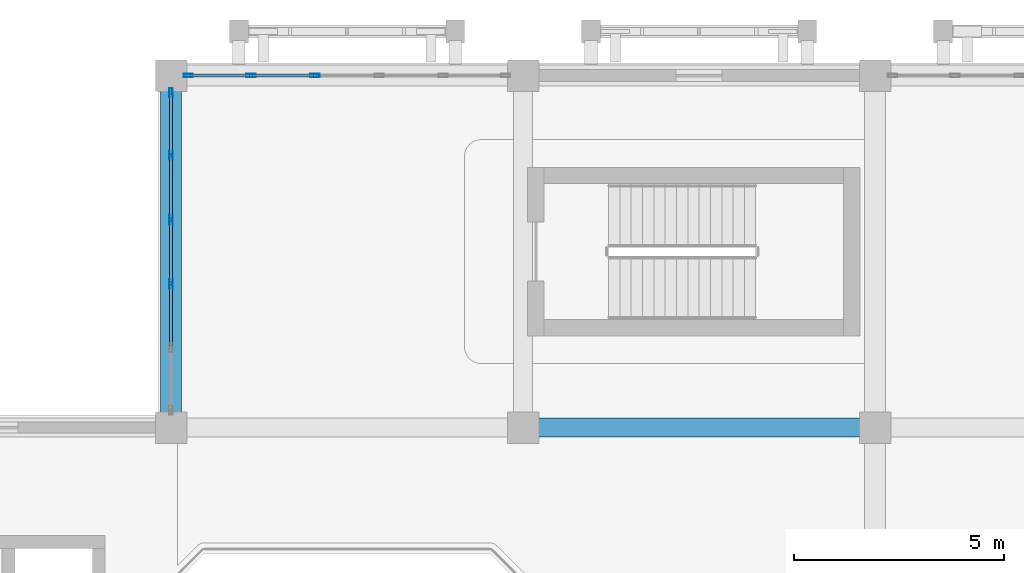
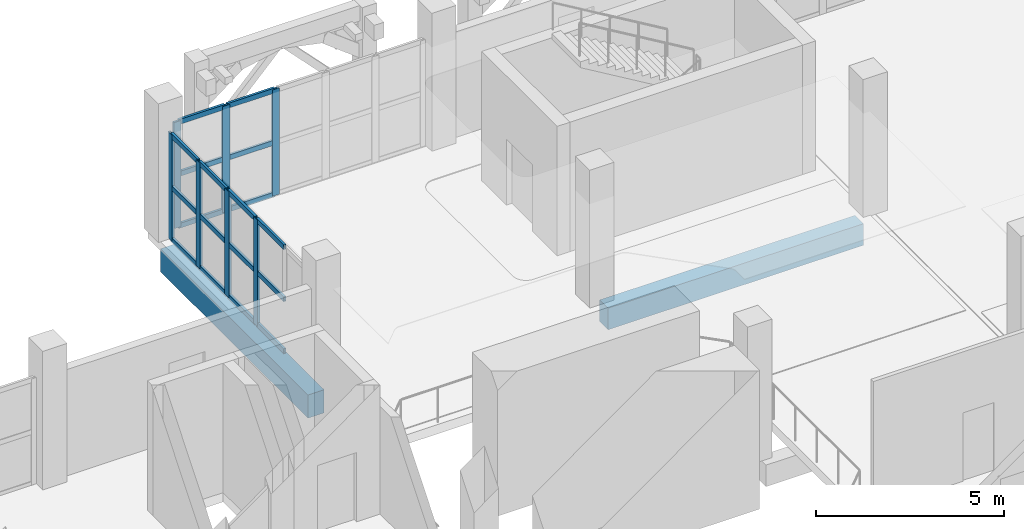
# One storey, part 54 of 114: 25 members, 2 beams, 2 elements without a shape of their own.
"""IFC4 building model written with IfcOpenShell, lengths in metres."""

from ifc_helpers import new_model, si_unit, direction, frame, origin, origin_2d, place, context, subcontext, project, spatial, rectangle, hollow_rectangle, extrude, material, layer, layer_set, material_profile, profile_set, type_object, element, aggregate, save


model = new_model("IFC4")

# Units and contexts
model_context = context("Model", 3, precision=1e-05, world=origin(), true_north=direction((0.0, 1.0)))
body_context = subcontext(model_context, "Body", "Model", "MODEL_VIEW")
ifc_project = project(units=[si_unit("LENGTHUNIT", "METRE"), si_unit("AREAUNIT", "SQUARE_METRE"), si_unit("VOLUMEUNIT", "CUBIC_METRE"), si_unit("PLANEANGLEUNIT", "RADIAN"), si_unit("MASSUNIT", "GRAM", prefix="KILO")], contexts=[model_context])

# Site, building, storey
site_placement = place(None, origin())
site = spatial("IfcSite", under=ifc_project, at=site_placement, CompositionType="ELEMENT")
building_placement = place(site_placement, origin())
building = spatial("IfcBuilding", under=site, at=building_placement, Name="Xazarin Passage Department Store", CompositionType="ELEMENT")
storey_placement = place(building_placement, frame((0.0, 0.0, 14.39990234375)))
storey = spatial("IfcBuildingStorey", under=building, at=storey_placement, Name="L03", CompositionType="ELEMENT", Elevation=14.39990234375)

# Curtain wall, members
ifc_material_1 = material(Name="Bronze anodised aluminium", Category="aluminium")
ifc_layer = layer(ifc_material_1, 0.199951171875)
ifc_layer_set = layer_set([ifc_layer], Name="Bronze anodised aluminium")
curtain_wall_type = type_object("IfcCurtainWallType", Name="ARC-CW-VIT2", PredefinedType="NOTDEFINED", material=ifc_layer_set)
curtain_wall_1_placement = place(storey_placement, origin())
curtain_wall_1 = element("IfcCurtainWall", 1, at=curtain_wall_1_placement, inside=storey, type_object=curtain_wall_type, Name="L03 V1 Curtain Wall 061", PredefinedType="NOTDEFINED")
ifc_material_profile_1 = material_profile(ifc_material_1, hollow_rectangle(XDim=0.074951171875, YDim=0.219970703125, WallThickness=0.0048828125, at=origin_2d()), Name="ALU 75x220")
ifc_profile_set_1 = profile_set([ifc_material_profile_1], Name="Bronze anodised aluminium")
member_type_1 = type_object("IfcMemberType", Name="ARC-CWM-75x220", PredefinedType="MULLION", material=ifc_profile_set_1)
member_1_placement = place(storey_placement, frame((17.21240234375, 110.0, 0.0), z_axis=(0.0, 0.0, 1.0), x_axis=(0.0, 1.0, 0.0)))
member_1 = element("IfcMember", 2, at=member_1_placement, type_object=member_type_1, Name="CW2 mullion 1", PredefinedType="MULLION", context=body_context, shape_type="SweptSolid", body=[
    extrude(hollow_rectangle(XDim=0.074951171875, YDim=0.219970703125, WallThickness=0.0048828125, at=origin_2d()), origin(), (0.0, 0.0, 1.0), 3.4501953125),
])
member_2_placement = place(storey_placement, frame((18.705078125, 110.0, 0.0), z_axis=(0.0, 0.0, 1.0), x_axis=(0.0, 1.0, 0.0)))
member_2 = element("IfcMember", 3, at=member_2_placement, type_object=member_type_1, Name="CW2 mullion 2", PredefinedType="MULLION", context=body_context, shape_type="SweptSolid", body=[
    extrude(hollow_rectangle(XDim=0.074951171875, YDim=0.219970703125, WallThickness=0.0048828125, at=origin_2d()), origin(), (0.0, 0.0, 1.0), 3.4501953125),
])
member_3_placement = place(storey_placement, frame((20.235107421875, 110.0, 0.0), z_axis=(0.0, 0.0, 1.0), x_axis=(0.0, 1.0, 0.0)))
member_3 = element("IfcMember", 4, at=member_3_placement, type_object=member_type_1, Name="CW2 mullion 3", PredefinedType="MULLION", context=body_context, shape_type="SweptSolid", body=[
    extrude(hollow_rectangle(XDim=0.074951171875, YDim=0.219970703125, WallThickness=0.0048828125, at=origin_2d()), origin(), (0.0, 0.0, 1.0), 3.4501953125),
])

curtain_wall_2_placement = place(storey_placement, origin())
curtain_wall_2 = element("IfcCurtainWall", 5, at=curtain_wall_2_placement, inside=storey, type_object=curtain_wall_type, Name="L03 V1 Curtain Wall 065", PredefinedType="NOTDEFINED")
member_4_placement = place(storey_placement, frame((16.800048828125, 105.034912109375, 0.0), z_axis=(0.0, 0.0, 1.0), x_axis=(-1.0, 0.0, 0.0)))
member_4 = element("IfcMember", 6, at=member_4_placement, type_object=member_type_1, Name="CW2 mullion 3", PredefinedType="MULLION", context=body_context, shape_type="SweptSolid", body=[
    extrude(hollow_rectangle(XDim=0.074951171875, YDim=0.219970703125, WallThickness=0.0048828125, at=origin_2d()), origin(), (0.0, 0.0, 1.0), 3.4501953125),
])
member_5_placement = place(storey_placement, frame((16.800048828125, 106.56494140625, 0.0), z_axis=(0.0, 0.0, 1.0), x_axis=(-1.0, 0.0, 0.0)))
member_5 = element("IfcMember", 7, at=member_5_placement, type_object=member_type_1, Name="CW2 mullion 4", PredefinedType="MULLION", context=body_context, shape_type="SweptSolid", body=[
    extrude(hollow_rectangle(XDim=0.074951171875, YDim=0.219970703125, WallThickness=0.0048828125, at=origin_2d()), origin(), (0.0, 0.0, 1.0), 3.4501953125),
])
member_6_placement = place(storey_placement, frame((16.800048828125, 108.094970703125, 0.0), z_axis=(0.0, 0.0, 1.0), x_axis=(-1.0, 0.0, 0.0)))
member_6 = element("IfcMember", 8, at=member_6_placement, type_object=member_type_1, Name="CW2 mullion 5", PredefinedType="MULLION", context=body_context, shape_type="SweptSolid", body=[
    extrude(hollow_rectangle(XDim=0.074951171875, YDim=0.219970703125, WallThickness=0.0048828125, at=origin_2d()), origin(), (0.0, 0.0, 1.0), 3.4501953125),
])
member_7_placement = place(storey_placement, frame((16.800048828125, 109.58740234375, 0.0), z_axis=(0.0, 0.0, 1.0), x_axis=(-1.0, 0.0, 0.0)))
member_7 = element("IfcMember", 9, at=member_7_placement, type_object=member_type_1, Name="CW2 mullion 6", PredefinedType="MULLION", context=body_context, shape_type="SweptSolid", body=[
    extrude(hollow_rectangle(XDim=0.074951171875, YDim=0.219970703125, WallThickness=0.0048828125, at=origin_2d()), origin(), (0.0, 0.0, 1.0), 3.4501953125),
])

# Member
ifc_material_profile_2 = material_profile(ifc_material_1, hollow_rectangle(XDim=0.074951171875, YDim=0.159912109375, WallThickness=0.00439453125, at=origin_2d()), Name="ALU 75x160")
ifc_profile_set_2 = profile_set([ifc_material_profile_2], Name="Bronze anodised aluminium")
member_type_2 = type_object("IfcMemberType", Name="ARC-CWT-75x160", PredefinedType="USERDEFINED", material=ifc_profile_set_2)
member_8_placement = place(storey_placement, frame((17.25, 110.0, 0.03759765625), z_axis=(1.0, 0.0, 0.0), x_axis=(0.0, 1.0, 0.0)))
member_8 = element("IfcMember", 10, at=member_8_placement, type_object=member_type_2, Name="CW2 transom 1.1", ObjectType="TRANSOM", PredefinedType="USERDEFINED", context=body_context, shape_type="SweptSolid", body=[
    extrude(hollow_rectangle(XDim=0.074951171875, YDim=0.159912109375, WallThickness=0.00439453125, at=origin_2d()), origin(), (0.0, 0.0, 1.0), 1.41748046875),
])

member_9_placement = place(storey_placement, frame((17.25, 110.0, 1.72509765625), z_axis=(1.0, 0.0, 0.0), x_axis=(0.0, 1.0, 0.0)))
member_9 = element("IfcMember", 11, at=member_9_placement, type_object=member_type_2, Name="CW2 transom 1.2", ObjectType="TRANSOM", PredefinedType="USERDEFINED", context=body_context, shape_type="SweptSolid", body=[
    extrude(hollow_rectangle(XDim=0.074951171875, YDim=0.159912109375, WallThickness=0.00439453125, at=origin_2d()), origin(), (0.0, 0.0, 1.0), 1.41748046875),
])

member_10_placement = place(storey_placement, frame((17.25, 110.0, 3.41259765625), z_axis=(1.0, 0.0, 0.0), x_axis=(0.0, 1.0, 0.0)))
member_10 = element("IfcMember", 12, at=member_10_placement, type_object=member_type_2, Name="CW2 transom 1.3", ObjectType="TRANSOM", PredefinedType="USERDEFINED", context=body_context, shape_type="SweptSolid", body=[
    extrude(hollow_rectangle(XDim=0.074951171875, YDim=0.159912109375, WallThickness=0.00439453125, at=origin_2d()), origin(), (0.0, 0.0, 1.0), 1.41748046875),
])

member_11_placement = place(storey_placement, frame((18.742431640625, 110.0, 0.03759765625), z_axis=(1.0, 0.0, 0.0), x_axis=(0.0, 1.0, 0.0)))
member_11 = element("IfcMember", 13, at=member_11_placement, type_object=member_type_2, Name="CW2 transom 2.1", ObjectType="TRANSOM", PredefinedType="USERDEFINED", context=body_context, shape_type="SweptSolid", body=[
    extrude(hollow_rectangle(XDim=0.074951171875, YDim=0.159912109375, WallThickness=0.00439453125, at=origin_2d()), origin(), (0.0, 0.0, 1.0), 1.455078125),
])

member_12_placement = place(storey_placement, frame((18.742431640625, 110.0, 1.72509765625), z_axis=(1.0, 0.0, 0.0), x_axis=(0.0, 1.0, 0.0)))
member_12 = element("IfcMember", 14, at=member_12_placement, type_object=member_type_2, Name="CW2 transom 2.2", ObjectType="TRANSOM", PredefinedType="USERDEFINED", context=body_context, shape_type="SweptSolid", body=[
    extrude(hollow_rectangle(XDim=0.074951171875, YDim=0.159912109375, WallThickness=0.00439453125, at=origin_2d()), origin(), (0.0, 0.0, 1.0), 1.455078125),
])

member_13_placement = place(storey_placement, frame((18.742431640625, 110.0, 3.41259765625), z_axis=(1.0, 0.0, 0.0), x_axis=(0.0, 1.0, 0.0)))
member_13 = element("IfcMember", 15, at=member_13_placement, type_object=member_type_2, Name="CW2 transom 2.3", ObjectType="TRANSOM", PredefinedType="USERDEFINED", context=body_context, shape_type="SweptSolid", body=[
    extrude(hollow_rectangle(XDim=0.074951171875, YDim=0.159912109375, WallThickness=0.00439453125, at=origin_2d()), origin(), (0.0, 0.0, 1.0), 1.455078125),
])

aggregate(curtain_wall_1, [member_1, member_2, member_3, member_8, member_9, member_10, member_11, member_12, member_13])

member_14_placement = place(storey_placement, frame((16.800048828125, 103.54248046875, 0.03759765625), z_axis=(0.0, 1.0, 0.0), x_axis=(-1.0, 0.0, 0.0)))
member_14 = element("IfcMember", 16, at=member_14_placement, type_object=member_type_2, Name="CW2 transom 2.1", ObjectType="TRANSOM", PredefinedType="USERDEFINED", context=body_context, shape_type="SweptSolid", body=[
    extrude(hollow_rectangle(XDim=0.074951171875, YDim=0.159912109375, WallThickness=0.00439453125, at=origin_2d()), origin(), (0.0, 0.0, 1.0), 1.455078125),
])

member_15_placement = place(storey_placement, frame((16.800048828125, 103.54248046875, 1.72509765625), z_axis=(0.0, 1.0, 0.0), x_axis=(-1.0, 0.0, 0.0)))
member_15 = element("IfcMember", 17, at=member_15_placement, type_object=member_type_2, Name="CW2 transom 2.2", ObjectType="TRANSOM", PredefinedType="USERDEFINED", context=body_context, shape_type="SweptSolid", body=[
    extrude(hollow_rectangle(XDim=0.074951171875, YDim=0.159912109375, WallThickness=0.00439453125, at=origin_2d()), origin(), (0.0, 0.0, 1.0), 1.455078125),
])

member_16_placement = place(storey_placement, frame((16.800048828125, 103.54248046875, 3.41259765625), z_axis=(0.0, 1.0, 0.0), x_axis=(-1.0, 0.0, 0.0)))
member_16 = element("IfcMember", 18, at=member_16_placement, type_object=member_type_2, Name="CW2 transom 2.3", ObjectType="TRANSOM", PredefinedType="USERDEFINED", context=body_context, shape_type="SweptSolid", body=[
    extrude(hollow_rectangle(XDim=0.074951171875, YDim=0.159912109375, WallThickness=0.00439453125, at=origin_2d()), origin(), (0.0, 0.0, 1.0), 1.455078125),
])

member_17_placement = place(storey_placement, frame((16.800048828125, 105.072509765625, 0.03759765625), z_axis=(0.0, 1.0, 0.0), x_axis=(-1.0, 0.0, 0.0)))
member_17 = element("IfcMember", 19, at=member_17_placement, type_object=member_type_2, Name="CW2 transom 3.1", ObjectType="TRANSOM", PredefinedType="USERDEFINED", context=body_context, shape_type="SweptSolid", body=[
    extrude(hollow_rectangle(XDim=0.074951171875, YDim=0.159912109375, WallThickness=0.00439453125, at=origin_2d()), origin(), (0.0, 0.0, 1.0), 1.455078125),
])

member_18_placement = place(storey_placement, frame((16.800048828125, 105.072509765625, 1.72509765625), z_axis=(0.0, 1.0, 0.0), x_axis=(-1.0, 0.0, 0.0)))
member_18 = element("IfcMember", 20, at=member_18_placement, type_object=member_type_2, Name="CW2 transom 3.2", ObjectType="TRANSOM", PredefinedType="USERDEFINED", context=body_context, shape_type="SweptSolid", body=[
    extrude(hollow_rectangle(XDim=0.074951171875, YDim=0.159912109375, WallThickness=0.00439453125, at=origin_2d()), origin(), (0.0, 0.0, 1.0), 1.455078125),
])

member_19_placement = place(storey_placement, frame((16.800048828125, 105.072509765625, 3.41259765625), z_axis=(0.0, 1.0, 0.0), x_axis=(-1.0, 0.0, 0.0)))
member_19 = element("IfcMember", 21, at=member_19_placement, type_object=member_type_2, Name="CW2 transom 3.3", ObjectType="TRANSOM", PredefinedType="USERDEFINED", context=body_context, shape_type="SweptSolid", body=[
    extrude(hollow_rectangle(XDim=0.074951171875, YDim=0.159912109375, WallThickness=0.00439453125, at=origin_2d()), origin(), (0.0, 0.0, 1.0), 1.455078125),
])

member_20_placement = place(storey_placement, frame((16.800048828125, 106.6025390625, 0.03759765625), z_axis=(0.0, 1.0, 0.0), x_axis=(-1.0, 0.0, 0.0)))
member_20 = element("IfcMember", 22, at=member_20_placement, type_object=member_type_2, Name="CW2 transom 4.1", ObjectType="TRANSOM", PredefinedType="USERDEFINED", context=body_context, shape_type="SweptSolid", body=[
    extrude(hollow_rectangle(XDim=0.074951171875, YDim=0.159912109375, WallThickness=0.00439453125, at=origin_2d()), origin(), (0.0, 0.0, 1.0), 1.455078125),
])

member_21_placement = place(storey_placement, frame((16.800048828125, 106.6025390625, 1.72509765625), z_axis=(0.0, 1.0, 0.0), x_axis=(-1.0, 0.0, 0.0)))
member_21 = element("IfcMember", 23, at=member_21_placement, type_object=member_type_2, Name="CW2 transom 4.2", ObjectType="TRANSOM", PredefinedType="USERDEFINED", context=body_context, shape_type="SweptSolid", body=[
    extrude(hollow_rectangle(XDim=0.074951171875, YDim=0.159912109375, WallThickness=0.00439453125, at=origin_2d()), origin(), (0.0, 0.0, 1.0), 1.455078125),
])

member_22_placement = place(storey_placement, frame((16.800048828125, 106.6025390625, 3.41259765625), z_axis=(0.0, 1.0, 0.0), x_axis=(-1.0, 0.0, 0.0)))
member_22 = element("IfcMember", 24, at=member_22_placement, type_object=member_type_2, Name="CW2 transom 4.3", ObjectType="TRANSOM", PredefinedType="USERDEFINED", context=body_context, shape_type="SweptSolid", body=[
    extrude(hollow_rectangle(XDim=0.074951171875, YDim=0.159912109375, WallThickness=0.00439453125, at=origin_2d()), origin(), (0.0, 0.0, 1.0), 1.455078125),
])

member_23_placement = place(storey_placement, frame((16.800048828125, 108.132568359375, 0.03759765625), z_axis=(0.0, 1.0, 0.0), x_axis=(-1.0, 0.0, 0.0)))
member_23 = element("IfcMember", 25, at=member_23_placement, type_object=member_type_2, Name="CW2 transom 5.1", ObjectType="TRANSOM", PredefinedType="USERDEFINED", context=body_context, shape_type="SweptSolid", body=[
    extrude(hollow_rectangle(XDim=0.074951171875, YDim=0.159912109375, WallThickness=0.00439453125, at=origin_2d()), origin(), (0.0, 0.0, 1.0), 1.41748046875),
])

member_24_placement = place(storey_placement, frame((16.800048828125, 108.132568359375, 1.72509765625), z_axis=(0.0, 1.0, 0.0), x_axis=(-1.0, 0.0, 0.0)))
member_24 = element("IfcMember", 26, at=member_24_placement, type_object=member_type_2, Name="CW2 transom 5.2", ObjectType="TRANSOM", PredefinedType="USERDEFINED", context=body_context, shape_type="SweptSolid", body=[
    extrude(hollow_rectangle(XDim=0.074951171875, YDim=0.159912109375, WallThickness=0.00439453125, at=origin_2d()), origin(), (0.0, 0.0, 1.0), 1.41748046875),
])

member_25_placement = place(storey_placement, frame((16.800048828125, 108.132568359375, 3.41259765625), z_axis=(0.0, 1.0, 0.0), x_axis=(-1.0, 0.0, 0.0)))
member_25 = element("IfcMember", 27, at=member_25_placement, type_object=member_type_2, Name="CW2 transom 5.3", ObjectType="TRANSOM", PredefinedType="USERDEFINED", context=body_context, shape_type="SweptSolid", body=[
    extrude(hollow_rectangle(XDim=0.074951171875, YDim=0.159912109375, WallThickness=0.00439453125, at=origin_2d()), origin(), (0.0, 0.0, 1.0), 1.41748046875),
])

aggregate(curtain_wall_2, [member_4, member_5, member_6, member_7, member_14, member_15, member_16, member_17, member_18, member_19, member_20, member_21, member_22, member_23, member_24, member_25])

# Beams
ifc_material_2 = material(Name="Concrete C35/45", Category="concrete")
ifc_material_profile_3 = material_profile(ifc_material_2, rectangle(XDim=0.449951171875, YDim=0.699951171875, at=origin_2d()), Name="RC 450x700")
ifc_profile_set_3 = profile_set([ifc_material_profile_3], Name="Concrete C35/45")
beam_type_1 = type_object("IfcBeamType", Name="STR-BM-G450x700", PredefinedType="BEAM", material=ifc_profile_set_3)
beam_1_placement = place(storey_placement, frame((25.47998046875, 101.60009765625, -0.64990234375), z_axis=(1.0, 0.0, 0.0), x_axis=(0.0, 1.0, 0.0)))
element("IfcBeam", 28, at=beam_1_placement, inside=storey, type_object=beam_type_1, Name="L03 Grid Beam P/4-5", PredefinedType="BEAM", context=body_context, shape_type="SweptSolid", body=[
    extrude(rectangle(XDim=0.449951171875, YDim=0.699951171875, at=origin_2d()), origin(), (0.0, 0.0, 1.0), 7.840087890625),
])
ifc_material_profile_4 = material_profile(ifc_material_2, rectangle(XDim=0.5, YDim=0.75, at=origin_2d()), Name="RC 500x750")
ifc_profile_set_4 = profile_set([ifc_material_profile_4], Name="Concrete C35/45")
beam_type_2 = type_object("IfcBeamType", Name="STR-BM-SP500x750", PredefinedType="SPANDREL", material=ifc_profile_set_4)
beam_2_placement = place(storey_placement, frame((16.800048828125, 101.8798828125, -0.6748046875), z_axis=(0.0, 1.0, 0.0), x_axis=(-1.0, 0.0, 0.0)))
element("IfcBeam", 29, at=beam_2_placement, inside=storey, type_object=beam_type_2, Name="L03 Grid Beam 3/P-Q", PredefinedType="SPANDREL", context=body_context, shape_type="SweptSolid", body=[
    extrude(rectangle(XDim=0.5, YDim=0.75, at=origin_2d()), origin(), (0.0, 0.0, 1.0), 7.840087890625),
])

save(model, "model.ifc")
